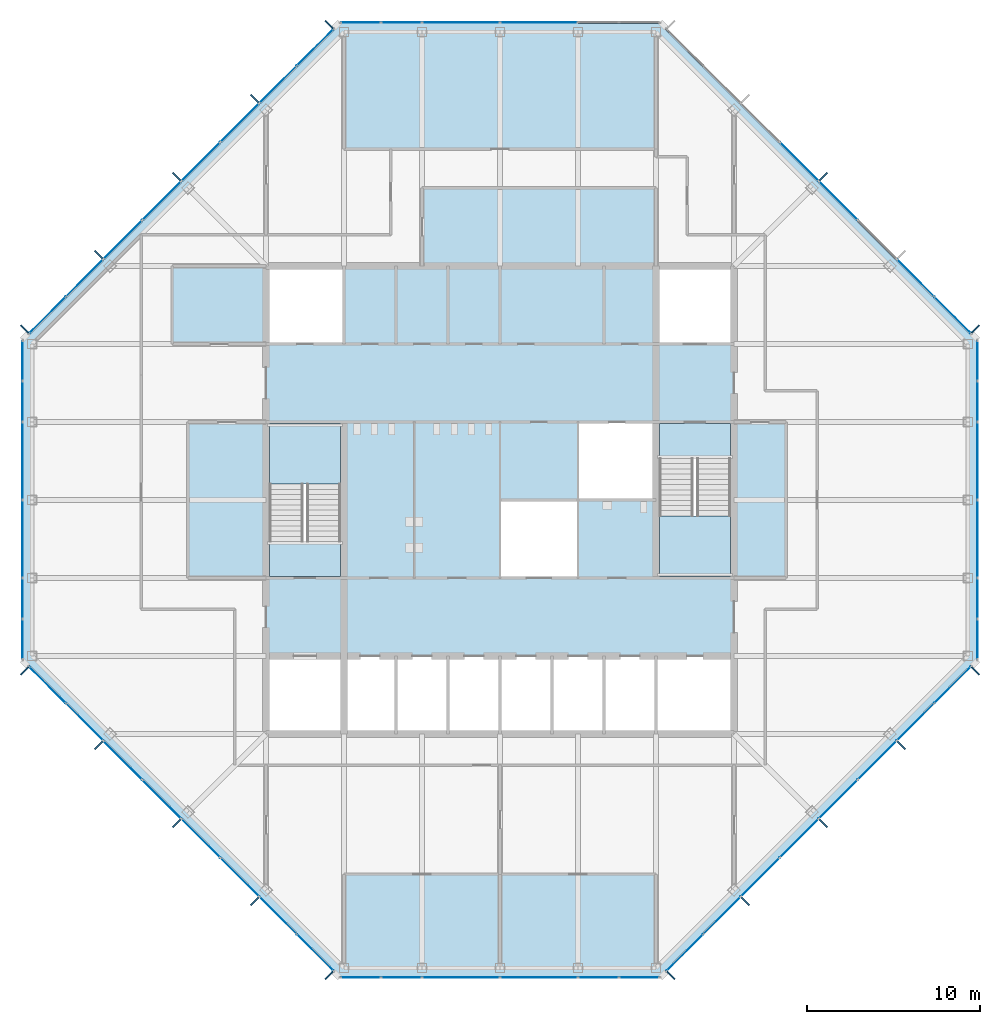
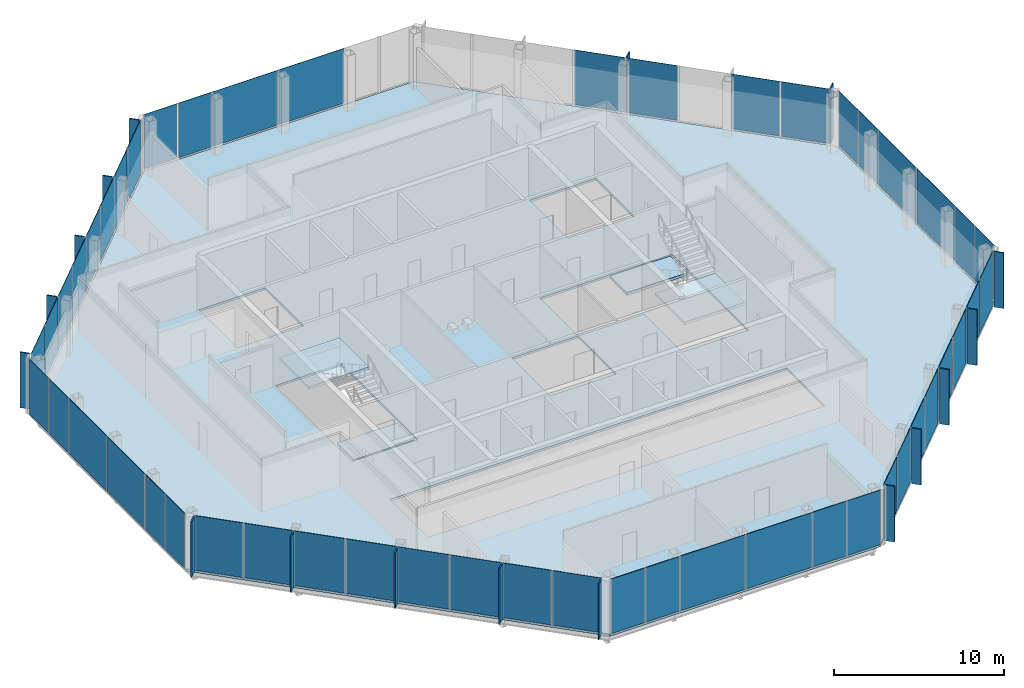
# One storey, part 8 of 13: 67 plates, 5 slabs, 10 elements without a shape of their own.
"""IFC4 building model written with IfcOpenShell, lengths in metres."""

import ifcopenshell
import ifcopenshell.guid

model = None  # the IFC model being written
_history = None  # IfcOwnerHistory: only IFC2X3 demands one
_inside = {}  # id of a spatial element -> (the spatial element, [elements in it])
_under = {}  # id of a project, library or spatial element -> (it, [spatial elements below it])
_declared = {}  # id of a project -> (the project, [libraries it declares])
_typed = {}  # id of a type object -> (the type object, [elements of that type])
_made_of = {}  # id of a material, layer set ... -> (it, [elements and type objects made of it])


def new_model(schema):
    """Start an empty IFC model of exactly this schema.

    Asked for "IFC4X3", IfcOpenShell would pick the latest addendum, in which some entities
    have other attributes; the version numbers below select the first issue.
    IFC2X3 requires an IfcOwnerHistory on every rooted entity: one is made here for all.
    """
    global model, _history
    if schema == "IFC4X3":
        model = ifcopenshell.file(schema_version=(4, 3, 0, 0))
    else:
        model = ifcopenshell.file(schema=schema)
    _inside.clear()
    _under.clear()
    _declared.clear()
    _typed.clear()
    _made_of.clear()
    _history = None
    if model.schema == "IFC2X3":
        org = make("IfcOrganization", Name="unknown")
        user = make(
            "IfcPersonAndOrganization",
            ThePerson=make("IfcPerson", FamilyName="unknown"),
            TheOrganization=org,
        )
        app = make(
            "IfcApplication",
            ApplicationDeveloper=org,
            Version="unknown",
            ApplicationFullName="unknown",
            ApplicationIdentifier="unknown",
        )
        _history = make(
            "IfcOwnerHistory",
            OwningUser=user,
            OwningApplication=app,
            ChangeAction="ADDED",
            CreationDate=0,
        )
    return model


def make(cls, **values):
    """One entity of the class cls with the attributes given. An attribute that is None is left unset."""
    return model.create_entity(
        cls, **{name: value for name, value in values.items() if value is not None}
    )


def rooted(cls, **values):
    """An entity with a GlobalId (a new one), such as an element, a storey or a relation."""
    return make(cls, GlobalId=ifcopenshell.guid.new(), OwnerHistory=_history, **values)


def si_unit(unit_type, name, prefix=None):
    """IfcSIUnit, for example si_unit("LENGTHUNIT", "METRE", prefix="MILLI")."""
    return make("IfcSIUnit", UnitType=unit_type, Prefix=prefix, Name=name)


def assignment(units):
    """IfcUnitAssignment: the units of a project."""
    return None if units is None else make("IfcUnitAssignment", Units=units)


def point(xyz):
    """IfcCartesianPoint."""
    return None if xyz is None else make("IfcCartesianPoint", Coordinates=xyz)


def direction(xyz):
    """IfcDirection."""
    return None if xyz is None else make("IfcDirection", DirectionRatios=xyz)


def frame(location, z_axis=None, x_axis=None):
    """IfcAxis2Placement3D, a coordinate frame: its origin and axes. An axis left out is left unset."""
    return make(
        "IfcAxis2Placement3D",
        Location=point(location),
        Axis=direction(z_axis),
        RefDirection=direction(x_axis),
    )


def frame_2d(location, x_axis=None):
    """IfcAxis2Placement2D, a coordinate frame in the plane: its origin and x axis."""
    return make(
        "IfcAxis2Placement2D", Location=point(location), RefDirection=direction(x_axis)
    )


def origin():
    """The frame at (0, 0, 0) with its axes left unset."""
    return frame((0.0, 0.0, 0.0))


def origin_2d():
    """The frame at (0, 0) in the plane with its x axis left unset."""
    return frame_2d((0.0, 0.0))


def place(relative_to, where):
    """IfcLocalPlacement: puts the frame where relative to a parent placement (None: the world)."""
    return make(
        "IfcLocalPlacement", PlacementRelTo=relative_to, RelativePlacement=where
    )


def context(
    kind, dimensions, precision=None, world=None, true_north=None, identifier=None
):
    """IfcGeometricRepresentationContext, for example the 3D "Model" context."""
    return make(
        "IfcGeometricRepresentationContext",
        ContextIdentifier=identifier,
        ContextType=kind,
        CoordinateSpaceDimension=dimensions,
        Precision=precision,
        WorldCoordinateSystem=world,
        TrueNorth=true_north,
    )


def subcontext(parent, identifier, kind, view, scale=None):
    """IfcGeometricRepresentationSubContext, for example "Body" below "Model"."""
    return make(
        "IfcGeometricRepresentationSubContext",
        ContextIdentifier=identifier,
        ContextType=kind,
        ParentContext=parent,
        TargetScale=scale,
        TargetView=view,
    )


def project(units=None, contexts=None):
    """IfcProject with its units and contexts."""
    return rooted(
        "IfcProject",
        Name="project",
        RepresentationContexts=contexts,
        UnitsInContext=assignment(units),
    )


def spatial(cls, under=None, at=None, **own):
    """A site, building, storey or space (cls), placed at a placement, below another one or the project."""
    s = rooted(cls, ObjectPlacement=at, **own)
    if under is not None:
        _under.setdefault(under.id(), (under, []))[1].append(s)
    return s


def polyline(points):
    """IfcPolyline through the points."""
    return make("IfcPolyline", Points=[point(p) for p in points])


def profile(cls, at=None, kind="AREA", **sizes):
    """A parametric profile (cls). Its sizes go by their IFC names, for example OverallWidth=200.0."""
    return make(cls, ProfileType=kind, Position=at, **sizes)


def rectangle(**sizes):
    """IfcRectangleProfileDef."""
    return profile("IfcRectangleProfileDef", **sizes)


def outline(outer, holes=None, kind="AREA"):
    """IfcArbitraryClosedProfileDef: a profile drawn as a closed curve; with holes, ...WithVoids."""
    if holes is None:
        return make("IfcArbitraryClosedProfileDef", ProfileType=kind, OuterCurve=outer)
    return make(
        "IfcArbitraryProfileDefWithVoids",
        ProfileType=kind,
        OuterCurve=outer,
        InnerCurves=holes,
    )


def extrude(swept, where, along, depth):
    """IfcExtrudedAreaSolid: the profile swept, set in the frame where, extruded along a direction by depth."""
    return make(
        "IfcExtrudedAreaSolid",
        SweptArea=swept,
        Position=where,
        ExtrudedDirection=direction(along),
        Depth=depth,
    )


def shape(context_of_items, identifier, shape_type, items):
    """IfcShapeRepresentation: the items that make up one representation, for example the "Body"."""
    return make(
        "IfcShapeRepresentation",
        ContextOfItems=context_of_items,
        RepresentationIdentifier=identifier,
        RepresentationType=shape_type,
        Items=items,
    )


def material(Name=None, Category=None):
    """IfcMaterial."""
    return make("IfcMaterial", Name=Name, Category=Category)


def layer(
    of_material, thickness, ventilated=None, Name=None, Category=None, Priority=None
):
    """IfcMaterialLayer: one layer of a wall or slab, of a material (None: an air gap)."""
    return make(
        "IfcMaterialLayer",
        Material=of_material,
        LayerThickness=thickness,
        IsVentilated=ventilated,
        Name=Name,
        Category=Category,
        Priority=Priority,
    )


def layer_set(layers, Name=None):
    """IfcMaterialLayerSet."""
    return make("IfcMaterialLayerSet", MaterialLayers=layers, LayerSetName=Name)


def made_of(thing, what):
    """Note that an element or type object is made of a material, layer set ...; save() writes the relation."""
    if what is not None:
        _made_of.setdefault(what.id(), (what, []))[1].append(thing)
    return thing


def type_object(cls, material=None, **own):
    """A type object (cls), such as IfcWallType, which elements share."""
    return made_of(rooted(cls, **own), material)


def element(
    cls,
    number,
    at=None,
    inside=None,
    cuts=None,
    type_object=None,
    material=None,
    context=None,
    identifier="Body",
    shape_type=None,
    held_by="IfcProductDefinitionShape",
    body=None,
    shapes=None,
    **own,
):
    """One element of the class cls, such as IfcWall. Its Tag is "e" and its number.

    at: its placement. inside: the storey or other place that contains it. cuts: it is an
    opening in that element (IfcRelVoidsElement). A single representation is given by context,
    identifier, shape_type and body (its items); several are given by shapes. held_by: the class
    of the entity that holds the representations. save() writes the other relations.
    """
    e = rooted(cls, Tag="e%d" % number, ObjectPlacement=at, **own)
    if body is not None:
        shapes = [shape(context, identifier, shape_type, body)]
    if shapes is not None:
        e.Representation = make(held_by, Representations=shapes)
    if inside is not None:
        _inside.setdefault(inside.id(), (inside, []))[1].append(e)
    if cuts is not None:
        rooted(
            "IfcRelVoidsElement", RelatingBuildingElement=cuts, RelatedOpeningElement=e
        )
    if type_object is not None:
        _typed.setdefault(type_object.id(), (type_object, []))[1].append(e)
    return made_of(e, material)


def aggregate(whole, parts):
    """IfcRelAggregates: a whole, such as a stair, and the parts it consists of."""
    return rooted("IfcRelAggregates", RelatingObject=whole, RelatedObjects=parts)


def save(model, path):
    """Write the relations noted so far, then the file.

    IfcRelAggregates (storeys below a building ...), IfcRelContainedInSpatialStructure (elements
    in a storey), IfcRelDefinesByType, IfcRelAssociatesMaterial and IfcRelDeclares: one each for
    every whole, place, type object, material and project.
    """
    for whole, parts in _under.values():
        aggregate(whole, parts)
    for where, things in _inside.values():
        rooted(
            "IfcRelContainedInSpatialStructure",
            RelatedElements=things,
            RelatingStructure=where,
        )
    for kind, things in _typed.values():
        rooted("IfcRelDefinesByType", RelatedObjects=things, RelatingType=kind)
    for what, things in _made_of.values():
        rooted("IfcRelAssociatesMaterial", RelatedObjects=things, RelatingMaterial=what)
    for by, libraries in _declared.values():
        rooted("IfcRelDeclares", RelatingContext=by, RelatedDefinitions=libraries)
    model.write(path)


model = new_model("IFC4")

# Units and contexts
model_context = context("Model", 3, precision=1e-05, world=origin(), true_north=direction((0.0, 1.0)))
body_context = subcontext(model_context, "Body", "Model", "MODEL_VIEW")
ifc_project = project(units=[si_unit("LENGTHUNIT", "METRE"), si_unit("AREAUNIT", "SQUARE_METRE"), si_unit("VOLUMEUNIT", "CUBIC_METRE"), si_unit("PLANEANGLEUNIT", "RADIAN"), si_unit("MASSUNIT", "GRAM", prefix="KILO")], contexts=[model_context])

# Site, building, storey
site_placement = place(None, origin())
site = spatial("IfcSite", under=ifc_project, at=site_placement, CompositionType="ELEMENT")
building_placement = place(site_placement, origin())
building = spatial("IfcBuilding", under=site, at=building_placement, Name="Corais Broadcast Tower", CompositionType="ELEMENT")
storey_placement = place(building_placement, frame((0.0, 0.0, 306.60009765625)))
storey = spatial("IfcBuildingStorey", under=building, at=storey_placement, Name="L72", CompositionType="ELEMENT", Elevation=306.60009765625)

# Slab
ifc_material_1 = material(Name="Concrete C30/37", Category="concrete")
ifc_layer_1 = layer(ifc_material_1, 0.159912109375)
ifc_layer_set_1 = layer_set([ifc_layer_1], Name="Concrete C30/37")
slab_type_1 = type_object("IfcSlabType", Name="Composite floor slab 160", PredefinedType="FLOOR", material=ifc_layer_set_1)
slab_1_placement = place(storey_placement, frame((0.0, 0.0, -0.16015625)))
element("IfcSlab", 1, at=slab_1_placement, inside=storey, type_object=slab_type_1, Name="S160 floor slab L72", PredefinedType="FLOOR", context=body_context, shape_type="SweptSolid", body=[
    extrude(outline(polyline([(17.80126953125, -0.47998046875), (-0.47998046875, 17.80126953125), (-0.47998046875, 36.19873046875), (17.80126953125, 54.47998046875), (36.19873046875, 54.47998046875), (54.47998046875, 36.19873046875), (54.47998046875, 17.80126953125), (36.19873046875, -0.47998046875), (17.80126953125, -0.47998046875)]), holes=[polyline([(13.5, 18.0), (40.5, 18.0), (40.5, 13.5), (13.5, 13.5), (13.5, 18.0)]), polyline([(18.0, 22.5), (13.5, 22.5), (13.5, 31.5), (18.0, 31.5), (18.0, 22.5)]), polyline([(18.0, 36.0), (13.5, 36.0), (13.5, 40.5), (18.0, 40.5), (18.0, 36.0)]), polyline([(31.5, 22.5), (27.0, 22.5), (27.0, 27.0), (31.4951171875, 27.0), (31.4951171875, 27.0048828125), (31.5, 27.0048828125), (31.5, 31.5), (40.5, 31.5), (40.5, 22.5), (36.0, 22.5), (36.0, 27.0), (31.5048828125, 27.0), (31.5048828125, 26.9951171875), (31.5, 26.9951171875), (31.5, 22.5)]), polyline([(40.5, 36.0), (36.0, 36.0), (36.0, 40.5), (40.5, 40.5), (40.5, 36.0)])]), origin(), (0.0, 0.0, 1.0), 0.16015625),
])

# Curtain wall, plates
ifc_material_2 = material(Name="Aluminium and glass", Category="aluminium")
curtain_wall_type = type_object("IfcCurtainWallType", Name="Unitised fritted curtain wall CW3", PredefinedType="NOTDEFINED", material=ifc_material_2)
curtain_wall_1_placement = place(storey_placement, origin())
curtain_wall_1 = element("IfcCurtainWall", 2, at=curtain_wall_1_placement, inside=storey, type_object=curtain_wall_type, Name="CW3 curtain wall L72 1", PredefinedType="NOTDEFINED")
ifc_material_3 = material(Name="Ceramic-fritted laminated glass", Category="glass")
ifc_layer_2 = layer(ifc_material_3, 0.02587890625)
ifc_layer_set_2 = layer_set([ifc_layer_2], Name="Ceramic-fritted laminated glass")
plate_type_1 = type_object("IfcPlateType", Name="Fritted glass panel CW3", PredefinedType="CURTAIN_PANEL", material=ifc_layer_set_2)
plate_1_placement = place(storey_placement, frame((16.330322265625, 0.891845703125, 0.06494140625), z_axis=(0.0, 0.0, 1.0), x_axis=(-0.707106781187, 0.707106781187, 0.0)))
plate_1 = element("IfcPlate", 3, at=plate_1_placement, type_object=plate_type_1, Name="CW3 panel 1", PredefinedType="CURTAIN_PANEL", context=body_context, shape_type="SweptSolid", body=[
    extrude(rectangle(XDim=2.9482421875, YDim=0.02587890625, at=origin_2d()), origin(), (0.0, 0.0, 1.0), 3.93505859375),
])
plate_2_placement = place(storey_placement, frame((11.986083984375, 5.236083984375, 0.06494140625), z_axis=(0.0, 0.0, 1.0), x_axis=(-0.707106781187, 0.707106781187, 0.0)))
plate_2 = element("IfcPlate", 4, at=plate_2_placement, type_object=plate_type_1, Name="CW3 panel 3", PredefinedType="CURTAIN_PANEL", context=body_context, shape_type="SweptSolid", body=[
    extrude(rectangle(XDim=3.116943359375, YDim=0.02587890625, at=origin_2d()), origin(), (0.0, 0.0, 1.0), 3.93505859375),
])
plate_3_placement = place(storey_placement, frame((7.486083984375, 9.736083984375, 0.06494140625), z_axis=(0.0, 0.0, 1.0), x_axis=(-0.707106781187, 0.707106781187, 0.0)))
plate_3 = element("IfcPlate", 5, at=plate_3_placement, type_object=plate_type_1, Name="CW3 panel 5", PredefinedType="CURTAIN_PANEL", context=body_context, shape_type="SweptSolid", body=[
    extrude(rectangle(XDim=3.116943359375, YDim=0.02587890625, at=origin_2d()), origin(), (0.0, 0.0, 1.0), 3.93505859375),
])
plate_4_placement = place(storey_placement, frame((3.0341796875, 14.18798828125, 0.06494140625), z_axis=(0.0, 0.0, 1.0), x_axis=(-0.707106781187, 0.707106781187, 0.0)))
plate_4 = element("IfcPlate", 6, at=plate_4_placement, type_object=plate_type_1, Name="CW3 panel 7", PredefinedType="CURTAIN_PANEL", context=body_context, shape_type="SweptSolid", body=[
    extrude(rectangle(XDim=2.98095703125, YDim=0.02587890625, at=origin_2d()), origin(), (0.0, 0.0, 1.0), 3.93505859375),
])

curtain_wall_2_placement = place(storey_placement, origin())
curtain_wall_2 = element("IfcCurtainWall", 7, at=curtain_wall_2_placement, inside=storey, type_object=curtain_wall_type, Name="CW3 curtain wall L72 2", PredefinedType="NOTDEFINED")
plate_5_placement = place(storey_placement, frame((-0.550048828125, 18.970458984375, 0.06494140625), z_axis=(0.0, 0.0, 1.0), x_axis=(0.0, 1.0, 0.0)))
plate_5 = element("IfcPlate", 8, at=plate_5_placement, type_object=plate_type_1, Name="CW3 panel 1", PredefinedType="CURTAIN_PANEL", context=body_context, shape_type="SweptSolid", body=[
    extrude(rectangle(XDim=2.266357421875, YDim=0.02587890625, at=origin_2d()), origin(), (0.0, 0.0, 1.0), 3.93505859375),
])
plate_6_placement = place(storey_placement, frame((-0.550048828125, 24.75, 0.06494140625), z_axis=(0.0, 0.0, 1.0), x_axis=(0.0, 1.0, 0.0)))
plate_6 = element("IfcPlate", 9, at=plate_6_placement, type_object=plate_type_1, Name="CW3 panel 3", PredefinedType="CURTAIN_PANEL", context=body_context, shape_type="SweptSolid", body=[
    extrude(rectangle(XDim=4.43505859375, YDim=0.02587890625, at=origin_2d()), origin(), (0.0, 0.0, 1.0), 3.93505859375),
])
plate_7_placement = place(storey_placement, frame((-0.550048828125, 32.681884765625, 0.06494140625), z_axis=(0.0, 0.0, 1.0), x_axis=(0.0, 1.0, 0.0)))
plate_7 = element("IfcPlate", 10, at=plate_7_placement, type_object=plate_type_1, Name="CW3 panel 5", PredefinedType="CURTAIN_PANEL", context=body_context, shape_type="SweptSolid", body=[
    extrude(rectangle(XDim=2.298828125, YDim=0.02587890625, at=origin_2d()), origin(), (0.0, 0.0, 1.0), 3.93505859375),
])

curtain_wall_3_placement = place(storey_placement, origin())
curtain_wall_3 = element("IfcCurtainWall", 11, at=curtain_wall_3_placement, inside=storey, type_object=curtain_wall_type, Name="CW3 curtain wall L72 3", PredefinedType="NOTDEFINED")
plate_8_placement = place(storey_placement, frame((0.891845703125, 37.669677734375, 0.06494140625), z_axis=(0.0, 0.0, 1.0), x_axis=(0.707106781187, 0.707106781187, 0.0)))
plate_8 = element("IfcPlate", 12, at=plate_8_placement, type_object=plate_type_1, Name="CW3 panel 1", PredefinedType="CURTAIN_PANEL", context=body_context, shape_type="SweptSolid", body=[
    extrude(rectangle(XDim=2.9482421875, YDim=0.02587890625, at=origin_2d()), origin(), (0.0, 0.0, 1.0), 3.93505859375),
])
plate_9_placement = place(storey_placement, frame((5.236083984375, 42.013916015625, 0.06494140625), z_axis=(0.0, 0.0, 1.0), x_axis=(0.707106781187, 0.707106781187, 0.0)))
plate_9 = element("IfcPlate", 13, at=plate_9_placement, type_object=plate_type_1, Name="CW3 panel 3", PredefinedType="CURTAIN_PANEL", context=body_context, shape_type="SweptSolid", body=[
    extrude(rectangle(XDim=3.116943359375, YDim=0.02587890625, at=origin_2d()), origin(), (0.0, 0.0, 1.0), 3.93505859375),
])
plate_10_placement = place(storey_placement, frame((9.736083984375, 46.513916015625, 0.06494140625), z_axis=(0.0, 0.0, 1.0), x_axis=(0.707106781187, 0.707106781187, 0.0)))
plate_10 = element("IfcPlate", 14, at=plate_10_placement, type_object=plate_type_1, Name="CW3 panel 5", PredefinedType="CURTAIN_PANEL", context=body_context, shape_type="SweptSolid", body=[
    extrude(rectangle(XDim=3.116943359375, YDim=0.02587890625, at=origin_2d()), origin(), (0.0, 0.0, 1.0), 3.93505859375),
])
plate_11_placement = place(storey_placement, frame((14.18798828125, 50.9658203125, 0.06494140625), z_axis=(0.0, 0.0, 1.0), x_axis=(0.707106781187, 0.707106781187, 0.0)))
plate_11 = element("IfcPlate", 15, at=plate_11_placement, type_object=plate_type_1, Name="CW3 panel 7", PredefinedType="CURTAIN_PANEL", context=body_context, shape_type="SweptSolid", body=[
    extrude(rectangle(XDim=2.98095703125, YDim=0.02587890625, at=origin_2d()), origin(), (0.0, 0.0, 1.0), 3.93505859375),
])

curtain_wall_4_placement = place(storey_placement, origin())
curtain_wall_4 = element("IfcCurtainWall", 16, at=curtain_wall_4_placement, inside=storey, type_object=curtain_wall_type, Name="CW3 curtain wall L72 4", PredefinedType="NOTDEFINED")
plate_12_placement = place(storey_placement, frame((18.970458984375, 54.550048828125, 0.06494140625), z_axis=(0.0, 0.0, 1.0), x_axis=(1.0, 0.0, 0.0)))
plate_12 = element("IfcPlate", 17, at=plate_12_placement, type_object=plate_type_1, Name="CW3 panel 1", PredefinedType="CURTAIN_PANEL", context=body_context, shape_type="SweptSolid", body=[
    extrude(rectangle(XDim=2.266357421875, YDim=0.02587890625, at=origin_2d()), origin(), (0.0, 0.0, 1.0), 3.93505859375),
])
plate_13_placement = place(storey_placement, frame((24.75, 54.550048828125, 0.06494140625), z_axis=(0.0, 0.0, 1.0), x_axis=(1.0, 0.0, 0.0)))
plate_13 = element("IfcPlate", 18, at=plate_13_placement, type_object=plate_type_1, Name="CW3 panel 3", PredefinedType="CURTAIN_PANEL", context=body_context, shape_type="SweptSolid", body=[
    extrude(rectangle(XDim=4.43505859375, YDim=0.02587890625, at=origin_2d()), origin(), (0.0, 0.0, 1.0), 3.93505859375),
])

curtain_wall_5_placement = place(storey_placement, origin())
curtain_wall_5 = element("IfcCurtainWall", 19, at=curtain_wall_5_placement, inside=storey, type_object=curtain_wall_type, Name="CW3 curtain wall L72 5", PredefinedType="NOTDEFINED")
plate_14_placement = place(storey_placement, frame((46.513916015625, 44.263916015625, 0.06494140625), z_axis=(0.0, 0.0, 1.0), x_axis=(0.707106781187, -0.707106781187, 0.0)))
plate_14 = element("IfcPlate", 20, at=plate_14_placement, type_object=plate_type_1, Name="CW3 panel 5", PredefinedType="CURTAIN_PANEL", context=body_context, shape_type="SweptSolid", body=[
    extrude(rectangle(XDim=3.116943359375, YDim=0.02587890625, at=origin_2d()), origin(), (0.0, 0.0, 1.0), 3.93505859375),
])
plate_15_placement = place(storey_placement, frame((50.9658203125, 39.81201171875, 0.06494140625), z_axis=(0.0, 0.0, 1.0), x_axis=(0.707106781187, -0.707106781187, 0.0)))
plate_15 = element("IfcPlate", 21, at=plate_15_placement, type_object=plate_type_1, Name="CW3 panel 7", PredefinedType="CURTAIN_PANEL", context=body_context, shape_type="SweptSolid", body=[
    extrude(rectangle(XDim=2.98095703125, YDim=0.02587890625, at=origin_2d()), origin(), (0.0, 0.0, 1.0), 3.93505859375),
])

curtain_wall_6_placement = place(storey_placement, origin())
curtain_wall_6 = element("IfcCurtainWall", 22, at=curtain_wall_6_placement, inside=storey, type_object=curtain_wall_type, Name="CW3 curtain wall L72 6", PredefinedType="NOTDEFINED")
plate_16_placement = place(storey_placement, frame((54.550048828125, 35.029541015625, 0.06494140625), z_axis=(0.0, 0.0, 1.0), x_axis=(0.0, -1.0, 0.0)))
plate_16 = element("IfcPlate", 23, at=plate_16_placement, type_object=plate_type_1, Name="CW3 panel 1", PredefinedType="CURTAIN_PANEL", context=body_context, shape_type="SweptSolid", body=[
    extrude(rectangle(XDim=2.266357421875, YDim=0.02587890625, at=origin_2d()), origin(), (0.0, 0.0, 1.0), 3.93505859375),
])
plate_17_placement = place(storey_placement, frame((54.550048828125, 29.25, 0.06494140625), z_axis=(0.0, 0.0, 1.0), x_axis=(0.0, -1.0, 0.0)))
plate_17 = element("IfcPlate", 24, at=plate_17_placement, type_object=plate_type_1, Name="CW3 panel 3", PredefinedType="CURTAIN_PANEL", context=body_context, shape_type="SweptSolid", body=[
    extrude(rectangle(XDim=4.43505859375, YDim=0.02587890625, at=origin_2d()), origin(), (0.0, 0.0, 1.0), 3.93505859375),
])
plate_18_placement = place(storey_placement, frame((54.550048828125, 21.318115234375, 0.06494140625), z_axis=(0.0, 0.0, 1.0), x_axis=(0.0, -1.0, 0.0)))
plate_18 = element("IfcPlate", 25, at=plate_18_placement, type_object=plate_type_1, Name="CW3 panel 5", PredefinedType="CURTAIN_PANEL", context=body_context, shape_type="SweptSolid", body=[
    extrude(rectangle(XDim=2.298828125, YDim=0.02587890625, at=origin_2d()), origin(), (0.0, 0.0, 1.0), 3.93505859375),
])

curtain_wall_7_placement = place(storey_placement, origin())
curtain_wall_7 = element("IfcCurtainWall", 26, at=curtain_wall_7_placement, inside=storey, type_object=curtain_wall_type, Name="CW3 curtain wall L72 7", PredefinedType="NOTDEFINED")
plate_19_placement = place(storey_placement, frame((53.108154296875, 16.330322265625, 0.06494140625), z_axis=(0.0, 0.0, 1.0), x_axis=(-0.707106781187, -0.707106781187, 0.0)))
plate_19 = element("IfcPlate", 27, at=plate_19_placement, type_object=plate_type_1, Name="CW3 panel 1", PredefinedType="CURTAIN_PANEL", context=body_context, shape_type="SweptSolid", body=[
    extrude(rectangle(XDim=2.9482421875, YDim=0.02587890625, at=origin_2d()), origin(), (0.0, 0.0, 1.0), 3.93505859375),
])
plate_20_placement = place(storey_placement, frame((48.763916015625, 11.986083984375, 0.06494140625), z_axis=(0.0, 0.0, 1.0), x_axis=(-0.707106781187, -0.707106781187, 0.0)))
plate_20 = element("IfcPlate", 28, at=plate_20_placement, type_object=plate_type_1, Name="CW3 panel 3", PredefinedType="CURTAIN_PANEL", context=body_context, shape_type="SweptSolid", body=[
    extrude(rectangle(XDim=3.116943359375, YDim=0.02587890625, at=origin_2d()), origin(), (0.0, 0.0, 1.0), 3.93505859375),
])
plate_21_placement = place(storey_placement, frame((44.263916015625, 7.486083984375, 0.06494140625), z_axis=(0.0, 0.0, 1.0), x_axis=(-0.707106781187, -0.707106781187, 0.0)))
plate_21 = element("IfcPlate", 29, at=plate_21_placement, type_object=plate_type_1, Name="CW3 panel 5", PredefinedType="CURTAIN_PANEL", context=body_context, shape_type="SweptSolid", body=[
    extrude(rectangle(XDim=3.116943359375, YDim=0.02587890625, at=origin_2d()), origin(), (0.0, 0.0, 1.0), 3.93505859375),
])
plate_22_placement = place(storey_placement, frame((39.81201171875, 3.0341796875, 0.06494140625), z_axis=(0.0, 0.0, 1.0), x_axis=(-0.707106781187, -0.707106781187, 0.0)))
plate_22 = element("IfcPlate", 30, at=plate_22_placement, type_object=plate_type_1, Name="CW3 panel 7", PredefinedType="CURTAIN_PANEL", context=body_context, shape_type="SweptSolid", body=[
    extrude(rectangle(XDim=2.98095703125, YDim=0.02587890625, at=origin_2d()), origin(), (0.0, 0.0, 1.0), 3.93505859375),
])

curtain_wall_8_placement = place(storey_placement, origin())
curtain_wall_8 = element("IfcCurtainWall", 31, at=curtain_wall_8_placement, inside=storey, type_object=curtain_wall_type, Name="CW3 curtain wall L72 8", PredefinedType="NOTDEFINED")
plate_23_placement = place(storey_placement, frame((35.029541015625, -0.550048828125, 0.06494140625), z_axis=(0.0, 0.0, 1.0), x_axis=(-1.0, 0.0, 0.0)))
plate_23 = element("IfcPlate", 32, at=plate_23_placement, type_object=plate_type_1, Name="CW3 panel 1", PredefinedType="CURTAIN_PANEL", context=body_context, shape_type="SweptSolid", body=[
    extrude(rectangle(XDim=2.266357421875, YDim=0.02587890625, at=origin_2d()), origin(), (0.0, 0.0, 1.0), 3.93505859375),
])
plate_24_placement = place(storey_placement, frame((29.25, -0.550048828125, 0.06494140625), z_axis=(0.0, 0.0, 1.0), x_axis=(-1.0, 0.0, 0.0)))
plate_24 = element("IfcPlate", 33, at=plate_24_placement, type_object=plate_type_1, Name="CW3 panel 3", PredefinedType="CURTAIN_PANEL", context=body_context, shape_type="SweptSolid", body=[
    extrude(rectangle(XDim=4.43505859375, YDim=0.02587890625, at=origin_2d()), origin(), (0.0, 0.0, 1.0), 3.93505859375),
])
plate_25_placement = place(storey_placement, frame((21.318115234375, -0.550048828125, 0.06494140625), z_axis=(0.0, 0.0, 1.0), x_axis=(-1.0, 0.0, 0.0)))
plate_25 = element("IfcPlate", 34, at=plate_25_placement, type_object=plate_type_1, Name="CW3 panel 5", PredefinedType="CURTAIN_PANEL", context=body_context, shape_type="SweptSolid", body=[
    extrude(rectangle(XDim=2.298828125, YDim=0.02587890625, at=origin_2d()), origin(), (0.0, 0.0, 1.0), 3.93505859375),
])

# Plate
ifc_material_4 = material(Name="Clear laminated glass", Category="glass")
ifc_layer_3 = layer(ifc_material_4, 0.030029296875)
ifc_layer_set_3 = layer_set([ifc_layer_3], Name="Clear laminated glass")
plate_type_2 = type_object("IfcPlateType", Name="Operable glass panel CW3", PredefinedType="CURTAIN_PANEL", material=ifc_layer_set_3)
plate_26_placement = place(storey_placement, frame((14.18798828125, 3.0341796875, 0.06494140625), z_axis=(0.0, 0.0, 1.0), x_axis=(-0.707106781187, 0.707106781187, 0.0)))
plate_26 = element("IfcPlate", 35, at=plate_26_placement, type_object=plate_type_2, Name="CW3 operable panel 2", PredefinedType="CURTAIN_PANEL", context=body_context, shape_type="SweptSolid", body=[
    extrude(rectangle(XDim=2.98095703125, YDim=0.030029296875, at=origin_2d()), origin(), (0.0, 0.0, 1.0), 3.93505859375),
])

plate_27_placement = place(storey_placement, frame((9.736083984375, 7.486083984375, 0.06494140625), z_axis=(0.0, 0.0, 1.0), x_axis=(-0.707106781187, 0.707106781187, 0.0)))
plate_27 = element("IfcPlate", 36, at=plate_27_placement, type_object=plate_type_2, Name="CW3 operable panel 4", PredefinedType="CURTAIN_PANEL", context=body_context, shape_type="SweptSolid", body=[
    extrude(rectangle(XDim=3.116943359375, YDim=0.030029296875, at=origin_2d()), origin(), (0.0, 0.0, 1.0), 3.93505859375),
])

plate_28_placement = place(storey_placement, frame((5.236083984375, 11.986083984375, 0.06494140625), z_axis=(0.0, 0.0, 1.0), x_axis=(-0.707106781187, 0.707106781187, 0.0)))
plate_28 = element("IfcPlate", 37, at=plate_28_placement, type_object=plate_type_2, Name="CW3 operable panel 6", PredefinedType="CURTAIN_PANEL", context=body_context, shape_type="SweptSolid", body=[
    extrude(rectangle(XDim=3.116943359375, YDim=0.030029296875, at=origin_2d()), origin(), (0.0, 0.0, 1.0), 3.93505859375),
])

plate_29_placement = place(storey_placement, frame((0.89208984375, 16.330322265625, 0.06494140625), z_axis=(0.0, 0.0, 1.0), x_axis=(-0.707106781187, 0.707106781187, 0.0)))
plate_29 = element("IfcPlate", 38, at=plate_29_placement, type_object=plate_type_2, Name="CW3 operable panel 8", PredefinedType="CURTAIN_PANEL", context=body_context, shape_type="SweptSolid", body=[
    extrude(rectangle(XDim=2.948486328125, YDim=0.030029296875, at=origin_2d()), origin(), (0.0, 0.0, 1.0), 3.93505859375),
])

aggregate(curtain_wall_1, [plate_1, plate_26, plate_2, plate_27, plate_3, plate_28, plate_4, plate_29])

plate_30_placement = place(storey_placement, frame((-0.550048828125, 21.318115234375, 0.06494140625), z_axis=(0.0, 0.0, 1.0), x_axis=(0.0, 1.0, 0.0)))
plate_30 = element("IfcPlate", 39, at=plate_30_placement, type_object=plate_type_2, Name="CW3 operable panel 2", PredefinedType="CURTAIN_PANEL", context=body_context, shape_type="SweptSolid", body=[
    extrude(rectangle(XDim=2.298828125, YDim=0.030029296875, at=origin_2d()), origin(), (0.0, 0.0, 1.0), 3.93505859375),
])

plate_31_placement = place(storey_placement, frame((-0.550048828125, 29.25, 0.06494140625), z_axis=(0.0, 0.0, 1.0), x_axis=(0.0, 1.0, 0.0)))
plate_31 = element("IfcPlate", 40, at=plate_31_placement, type_object=plate_type_2, Name="CW3 operable panel 4", PredefinedType="CURTAIN_PANEL", context=body_context, shape_type="SweptSolid", body=[
    extrude(rectangle(XDim=4.43505859375, YDim=0.030029296875, at=origin_2d()), origin(), (0.0, 0.0, 1.0), 3.93505859375),
])

plate_32_placement = place(storey_placement, frame((-0.550048828125, 35.029541015625, 0.06494140625), z_axis=(0.0, 0.0, 1.0), x_axis=(0.0, 1.0, 0.0)))
plate_32 = element("IfcPlate", 41, at=plate_32_placement, type_object=plate_type_2, Name="CW3 operable panel 6", PredefinedType="CURTAIN_PANEL", context=body_context, shape_type="SweptSolid", body=[
    extrude(rectangle(XDim=2.266357421875, YDim=0.030029296875, at=origin_2d()), origin(), (0.0, 0.0, 1.0), 3.93505859375),
])

aggregate(curtain_wall_2, [plate_5, plate_30, plate_6, plate_31, plate_7, plate_32])

plate_33_placement = place(storey_placement, frame((3.0341796875, 39.81201171875, 0.06494140625), z_axis=(0.0, 0.0, 1.0), x_axis=(0.707106781187, 0.707106781187, 0.0)))
plate_33 = element("IfcPlate", 42, at=plate_33_placement, type_object=plate_type_2, Name="CW3 operable panel 2", PredefinedType="CURTAIN_PANEL", context=body_context, shape_type="SweptSolid", body=[
    extrude(rectangle(XDim=2.98095703125, YDim=0.030029296875, at=origin_2d()), origin(), (0.0, 0.0, 1.0), 3.93505859375),
])

plate_34_placement = place(storey_placement, frame((7.486083984375, 44.263916015625, 0.06494140625), z_axis=(0.0, 0.0, 1.0), x_axis=(0.707106781187, 0.707106781187, 0.0)))
plate_34 = element("IfcPlate", 43, at=plate_34_placement, type_object=plate_type_2, Name="CW3 operable panel 4", PredefinedType="CURTAIN_PANEL", context=body_context, shape_type="SweptSolid", body=[
    extrude(rectangle(XDim=3.116943359375, YDim=0.030029296875, at=origin_2d()), origin(), (0.0, 0.0, 1.0), 3.93505859375),
])

plate_35_placement = place(storey_placement, frame((11.986083984375, 48.763916015625, 0.06494140625), z_axis=(0.0, 0.0, 1.0), x_axis=(0.707106781187, 0.707106781187, 0.0)))
plate_35 = element("IfcPlate", 44, at=plate_35_placement, type_object=plate_type_2, Name="CW3 operable panel 6", PredefinedType="CURTAIN_PANEL", context=body_context, shape_type="SweptSolid", body=[
    extrude(rectangle(XDim=3.116943359375, YDim=0.030029296875, at=origin_2d()), origin(), (0.0, 0.0, 1.0), 3.93505859375),
])

plate_36_placement = place(storey_placement, frame((16.330322265625, 53.10791015625, 0.06494140625), z_axis=(0.0, 0.0, 1.0), x_axis=(0.707106781187, 0.707106781187, 0.0)))
plate_36 = element("IfcPlate", 45, at=plate_36_placement, type_object=plate_type_2, Name="CW3 operable panel 8", PredefinedType="CURTAIN_PANEL", context=body_context, shape_type="SweptSolid", body=[
    extrude(rectangle(XDim=2.948486328125, YDim=0.030029296875, at=origin_2d()), origin(), (0.0, 0.0, 1.0), 3.93505859375),
])

aggregate(curtain_wall_3, [plate_8, plate_33, plate_9, plate_34, plate_10, plate_35, plate_11, plate_36])

plate_37_placement = place(storey_placement, frame((21.318115234375, 54.550048828125, 0.06494140625), z_axis=(0.0, 0.0, 1.0), x_axis=(1.0, 0.0, 0.0)))
plate_37 = element("IfcPlate", 46, at=plate_37_placement, type_object=plate_type_2, Name="CW3 operable panel 2", PredefinedType="CURTAIN_PANEL", context=body_context, shape_type="SweptSolid", body=[
    extrude(rectangle(XDim=2.298828125, YDim=0.030029296875, at=origin_2d()), origin(), (0.0, 0.0, 1.0), 3.93505859375),
])

plate_38_placement = place(storey_placement, frame((29.25, 54.550048828125, 0.06494140625), z_axis=(0.0, 0.0, 1.0), x_axis=(1.0, 0.0, 0.0)))
plate_38 = element("IfcPlate", 47, at=plate_38_placement, type_object=plate_type_2, Name="CW3 operable panel 4", PredefinedType="CURTAIN_PANEL", context=body_context, shape_type="SweptSolid", body=[
    extrude(rectangle(XDim=4.43505859375, YDim=0.030029296875, at=origin_2d()), origin(), (0.0, 0.0, 1.0), 3.93505859375),
])

aggregate(curtain_wall_4, [plate_12, plate_37, plate_13, plate_38])

plate_39_placement = place(storey_placement, frame((44.263916015625, 46.513916015625, 0.06494140625), z_axis=(0.0, 0.0, 1.0), x_axis=(0.707106781187, -0.707106781187, 0.0)))
plate_39 = element("IfcPlate", 48, at=plate_39_placement, type_object=plate_type_2, Name="CW3 operable panel 4", PredefinedType="CURTAIN_PANEL", context=body_context, shape_type="SweptSolid", body=[
    extrude(rectangle(XDim=3.116943359375, YDim=0.030029296875, at=origin_2d()), origin(), (0.0, 0.0, 1.0), 3.93505859375),
])

plate_40_placement = place(storey_placement, frame((53.10791015625, 37.669677734375, 0.06494140625), z_axis=(0.0, 0.0, 1.0), x_axis=(0.707106781187, -0.707106781187, 0.0)))
plate_40 = element("IfcPlate", 49, at=plate_40_placement, type_object=plate_type_2, Name="CW3 operable panel 8", PredefinedType="CURTAIN_PANEL", context=body_context, shape_type="SweptSolid", body=[
    extrude(rectangle(XDim=2.948486328125, YDim=0.030029296875, at=origin_2d()), origin(), (0.0, 0.0, 1.0), 3.93505859375),
])

aggregate(curtain_wall_5, [plate_39, plate_14, plate_15, plate_40])

plate_41_placement = place(storey_placement, frame((54.550048828125, 32.681884765625, 0.06494140625), z_axis=(0.0, 0.0, 1.0), x_axis=(0.0, -1.0, 0.0)))
plate_41 = element("IfcPlate", 50, at=plate_41_placement, type_object=plate_type_2, Name="CW3 operable panel 2", PredefinedType="CURTAIN_PANEL", context=body_context, shape_type="SweptSolid", body=[
    extrude(rectangle(XDim=2.298828125, YDim=0.030029296875, at=origin_2d()), origin(), (0.0, 0.0, 1.0), 3.93505859375),
])

plate_42_placement = place(storey_placement, frame((54.550048828125, 24.75, 0.06494140625), z_axis=(0.0, 0.0, 1.0), x_axis=(0.0, -1.0, 0.0)))
plate_42 = element("IfcPlate", 51, at=plate_42_placement, type_object=plate_type_2, Name="CW3 operable panel 4", PredefinedType="CURTAIN_PANEL", context=body_context, shape_type="SweptSolid", body=[
    extrude(rectangle(XDim=4.43505859375, YDim=0.030029296875, at=origin_2d()), origin(), (0.0, 0.0, 1.0), 3.93505859375),
])

plate_43_placement = place(storey_placement, frame((54.550048828125, 18.970458984375, 0.06494140625), z_axis=(0.0, 0.0, 1.0), x_axis=(0.0, -1.0, 0.0)))
plate_43 = element("IfcPlate", 52, at=plate_43_placement, type_object=plate_type_2, Name="CW3 operable panel 6", PredefinedType="CURTAIN_PANEL", context=body_context, shape_type="SweptSolid", body=[
    extrude(rectangle(XDim=2.266357421875, YDim=0.030029296875, at=origin_2d()), origin(), (0.0, 0.0, 1.0), 3.93505859375),
])

aggregate(curtain_wall_6, [plate_16, plate_41, plate_17, plate_42, plate_18, plate_43])

plate_44_placement = place(storey_placement, frame((50.9658203125, 14.18798828125, 0.06494140625), z_axis=(0.0, 0.0, 1.0), x_axis=(-0.707106781187, -0.707106781187, 0.0)))
plate_44 = element("IfcPlate", 53, at=plate_44_placement, type_object=plate_type_2, Name="CW3 operable panel 2", PredefinedType="CURTAIN_PANEL", context=body_context, shape_type="SweptSolid", body=[
    extrude(rectangle(XDim=2.98095703125, YDim=0.030029296875, at=origin_2d()), origin(), (0.0, 0.0, 1.0), 3.93505859375),
])

plate_45_placement = place(storey_placement, frame((46.513916015625, 9.736083984375, 0.06494140625), z_axis=(0.0, 0.0, 1.0), x_axis=(-0.707106781187, -0.707106781187, 0.0)))
plate_45 = element("IfcPlate", 54, at=plate_45_placement, type_object=plate_type_2, Name="CW3 operable panel 4", PredefinedType="CURTAIN_PANEL", context=body_context, shape_type="SweptSolid", body=[
    extrude(rectangle(XDim=3.116943359375, YDim=0.030029296875, at=origin_2d()), origin(), (0.0, 0.0, 1.0), 3.93505859375),
])

plate_46_placement = place(storey_placement, frame((42.013916015625, 5.236083984375, 0.06494140625), z_axis=(0.0, 0.0, 1.0), x_axis=(-0.707106781187, -0.707106781187, 0.0)))
plate_46 = element("IfcPlate", 55, at=plate_46_placement, type_object=plate_type_2, Name="CW3 operable panel 6", PredefinedType="CURTAIN_PANEL", context=body_context, shape_type="SweptSolid", body=[
    extrude(rectangle(XDim=3.116943359375, YDim=0.030029296875, at=origin_2d()), origin(), (0.0, 0.0, 1.0), 3.93505859375),
])

plate_47_placement = place(storey_placement, frame((37.669677734375, 0.89208984375, 0.06494140625), z_axis=(0.0, 0.0, 1.0), x_axis=(-0.707106781187, -0.707106781187, 0.0)))
plate_47 = element("IfcPlate", 56, at=plate_47_placement, type_object=plate_type_2, Name="CW3 operable panel 8", PredefinedType="CURTAIN_PANEL", context=body_context, shape_type="SweptSolid", body=[
    extrude(rectangle(XDim=2.948486328125, YDim=0.030029296875, at=origin_2d()), origin(), (0.0, 0.0, 1.0), 3.93505859375),
])

aggregate(curtain_wall_7, [plate_19, plate_44, plate_20, plate_45, plate_21, plate_46, plate_22, plate_47])

plate_48_placement = place(storey_placement, frame((32.681884765625, -0.550048828125, 0.06494140625), z_axis=(0.0, 0.0, 1.0), x_axis=(-1.0, 0.0, 0.0)))
plate_48 = element("IfcPlate", 57, at=plate_48_placement, type_object=plate_type_2, Name="CW3 operable panel 2", PredefinedType="CURTAIN_PANEL", context=body_context, shape_type="SweptSolid", body=[
    extrude(rectangle(XDim=2.298828125, YDim=0.030029296875, at=origin_2d()), origin(), (0.0, 0.0, 1.0), 3.93505859375),
])

plate_49_placement = place(storey_placement, frame((24.75, -0.550048828125, 0.06494140625), z_axis=(0.0, 0.0, 1.0), x_axis=(-1.0, 0.0, 0.0)))
plate_49 = element("IfcPlate", 58, at=plate_49_placement, type_object=plate_type_2, Name="CW3 operable panel 4", PredefinedType="CURTAIN_PANEL", context=body_context, shape_type="SweptSolid", body=[
    extrude(rectangle(XDim=4.43505859375, YDim=0.030029296875, at=origin_2d()), origin(), (0.0, 0.0, 1.0), 3.93505859375),
])

plate_50_placement = place(storey_placement, frame((18.970458984375, -0.550048828125, 0.06494140625), z_axis=(0.0, 0.0, 1.0), x_axis=(-1.0, 0.0, 0.0)))
plate_50 = element("IfcPlate", 59, at=plate_50_placement, type_object=plate_type_2, Name="CW3 operable panel 6", PredefinedType="CURTAIN_PANEL", context=body_context, shape_type="SweptSolid", body=[
    extrude(rectangle(XDim=2.266357421875, YDim=0.030029296875, at=origin_2d()), origin(), (0.0, 0.0, 1.0), 3.93505859375),
])

aggregate(curtain_wall_8, [plate_23, plate_48, plate_24, plate_49, plate_25, plate_50])

# Stair, slabs
ifc_material_5 = material(Name="Concrete C30/37", Category="concrete")
stair_type = type_object("IfcStairType", Name="Half-turn stair 4000", PredefinedType="HALF_TURN_STAIR", material=ifc_material_5)
stair_1_placement = place(storey_placement, origin())
stair_1 = element("IfcStair", 60, at=stair_1_placement, inside=storey, type_object=stair_type, Name="Stair A L72", PredefinedType="HALF_TURN_STAIR")
ifc_material_6 = material(Name="Concrete C30/37", Category="concrete")
ifc_layer_4 = layer(ifc_material_6, 0.199951171875)
ifc_layer_set_4 = layer_set([ifc_layer_4], Name="Concrete C30/37")
slab_type_2 = type_object("IfcSlabType", Name="Stair landing 200", PredefinedType="LANDING", material=ifc_layer_set_4)
slab_2_placement = place(storey_placement, frame((0.0, 0.0, -0.2001953125)))
slab_2 = element("IfcSlab", 61, at=slab_2_placement, type_object=slab_type_2, Name="STA landing 1", PredefinedType="LANDING", context=body_context, shape_type="SweptSolid", body=[
    extrude(outline(polyline([(13.699951171875, 22.60009765625), (17.800048828125, 22.60009765625), (17.800048828125, 24.60009765625), (13.699951171875, 24.60009765625), (13.699951171875, 22.60009765625)])), origin(), (0.0, 0.0, 1.0), 0.2001953125),
])
slab_3_placement = place(storey_placement, frame((0.0, 0.0, 1.7998046875)))
slab_3 = element("IfcSlab", 62, at=slab_3_placement, type_object=slab_type_2, Name="STA landing 2", PredefinedType="LANDING", context=body_context, shape_type="SweptSolid", body=[
    extrude(outline(polyline([(13.699951171875, 27.922119140625), (17.800048828125, 27.922119140625), (17.800048828125, 31.39990234375), (13.699951171875, 31.39990234375), (13.699951171875, 27.922119140625)])), origin(), (0.0, 0.0, 1.0), 0.2001953125),
])
aggregate(stair_1, [slab_2, slab_3])

stair_2_placement = place(storey_placement, origin())
stair_2 = element("IfcStair", 63, at=stair_2_placement, inside=storey, type_object=stair_type, Name="Stair B L72", PredefinedType="HALF_TURN_STAIR")
slab_4_placement = place(storey_placement, frame((0.0, 0.0, -0.2001953125)))
slab_4 = element("IfcSlab", 64, at=slab_4_placement, type_object=slab_type_2, Name="STB landing 1", PredefinedType="LANDING", context=body_context, shape_type="SweptSolid", body=[
    extrude(outline(polyline([(36.199951171875, 29.39990234375), (40.300048828125, 29.39990234375), (40.300048828125, 31.39990234375), (36.199951171875, 31.39990234375), (36.199951171875, 29.39990234375)])), origin(), (0.0, 0.0, 1.0), 0.2001953125),
])
slab_5_placement = place(storey_placement, frame((0.0, 0.0, 1.7998046875)))
slab_5 = element("IfcSlab", 65, at=slab_5_placement, type_object=slab_type_2, Name="STB landing 2", PredefinedType="LANDING", context=body_context, shape_type="SweptSolid", body=[
    extrude(outline(polyline([(36.199951171875, 22.60009765625), (40.300048828125, 22.60009765625), (40.300048828125, 26.077880859375), (36.199951171875, 26.077880859375), (36.199951171875, 22.60009765625)])), origin(), (0.0, 0.0, 1.0), 0.2001953125),
])
aggregate(stair_2, [slab_4, slab_5])

# Plates
ifc_material_7 = material(Name="Granite stone cladding", Category="masonry")
ifc_layer_5 = layer(ifc_material_7, 0.080078125)
ifc_layer_set_5 = layer_set([ifc_layer_5], Name="Granite stone cladding")
plate_type_3 = type_object("IfcPlateType", Name="Stone screen fin 80x600", PredefinedType="USERDEFINED", material=ifc_layer_set_5)
for number, where, z_axis, x_axis, name in (
    (66, (17.129150390625, -0.43994140625, 0.0), (0.0, 0.0, 1.0), (-0.707106781187, 0.707106781187, 0.0), "SF1 stone screen fin L72"),
    (67, (12.844482421875, 3.844482421875, 0.0), (0.0, 0.0, 1.0), (-0.707106781187, 0.707106781187, 0.0), "SF1 stone screen fin L72"),
    (68, (8.344482421875, 8.344482421875, 0.0), (0.0, 0.0, 1.0), (-0.707106781187, 0.707106781187, 0.0), "SF1 stone screen fin L72"),
    (69, (3.844482421875, 12.844482421875, 0.0), (0.0, 0.0, 1.0), (-0.707106781187, 0.707106781187, 0.0), "SF1 stone screen fin L72"),
    (70, (-0.43994140625, 17.129150390625, 0.0), (0.0, 0.0, 1.0), (-0.707106781187, 0.707106781187, 0.0), "SF1 stone screen fin L72"),
    (71, (-0.43994140625, 36.870849609375, 0.0), (0.0, 0.0, 1.0), (0.707106781187, 0.707106781187, 0.0), "SF1 stone screen fin L72"),
    (72, (3.844482421875, 41.155517578125, 0.0), (0.0, 0.0, 1.0), (0.707106781187, 0.707106781187, 0.0), "SF1 stone screen fin L72"),
    (73, (8.344482421875, 45.655517578125, 0.0), (0.0, 0.0, 1.0), (0.707106781187, 0.707106781187, 0.0), "SF1 stone screen fin L72"),
    (74, (12.844482421875, 50.155517578125, 0.0), (0.0, 0.0, 1.0), (0.707106781187, 0.707106781187, 0.0), "SF1 stone screen fin L72"),
    (75, (17.129150390625, 54.43994140625, 0.0), (0.0, 0.0, 1.0), (0.707106781187, 0.707106781187, 0.0), "SF1 stone screen fin L72"),
    (76, (45.655517578125, 45.655517578125, 0.0), (0.0, 0.0, 1.0), (0.707106781187, -0.707106781187, 0.0), "SF1 stone screen fin L72"),
    (77, (54.43994140625, 36.870849609375, 0.0), (0.0, 0.0, 1.0), (0.707106781187, -0.707106781187, 0.0), "SF1 stone screen fin L72"),
    (78, (54.43994140625, 17.129150390625, 0.0), (0.0, 0.0, 1.0), (-0.707106781187, -0.707106781187, 0.0), "SF1 stone screen fin L72"),
    (79, (50.155517578125, 12.844482421875, 0.0), (0.0, 0.0, 1.0), (-0.707106781187, -0.707106781187, 0.0), "SF1 stone screen fin L72"),
    (80, (45.655517578125, 8.344482421875, 0.0), (0.0, 0.0, 1.0), (-0.707106781187, -0.707106781187, 0.0), "SF1 stone screen fin L72"),
    (81, (41.155517578125, 3.844482421875, 0.0), (0.0, 0.0, 1.0), (-0.707106781187, -0.707106781187, 0.0), "SF1 stone screen fin L72"),
    (82, (36.870849609375, -0.43994140625, 0.0), (0.0, 0.0, 1.0), (-0.707106781187, -0.707106781187, 0.0), "SF1 stone screen fin L72"),
):
    element("IfcPlate", number, at=place(storey_placement, frame(where, z_axis=z_axis, x_axis=x_axis)), inside=storey, type_object=plate_type_3, Name=name, ObjectType="STONE SCREEN FIN", PredefinedType="USERDEFINED", context=body_context, shape_type="SweptSolid", body=[
        extrude(rectangle(XDim=0.080078125, YDim=0.60009765625, at=origin_2d()), origin(), (0.0, 0.0, 1.0), 4.0),
    ])

save(model, "model.ifc")
